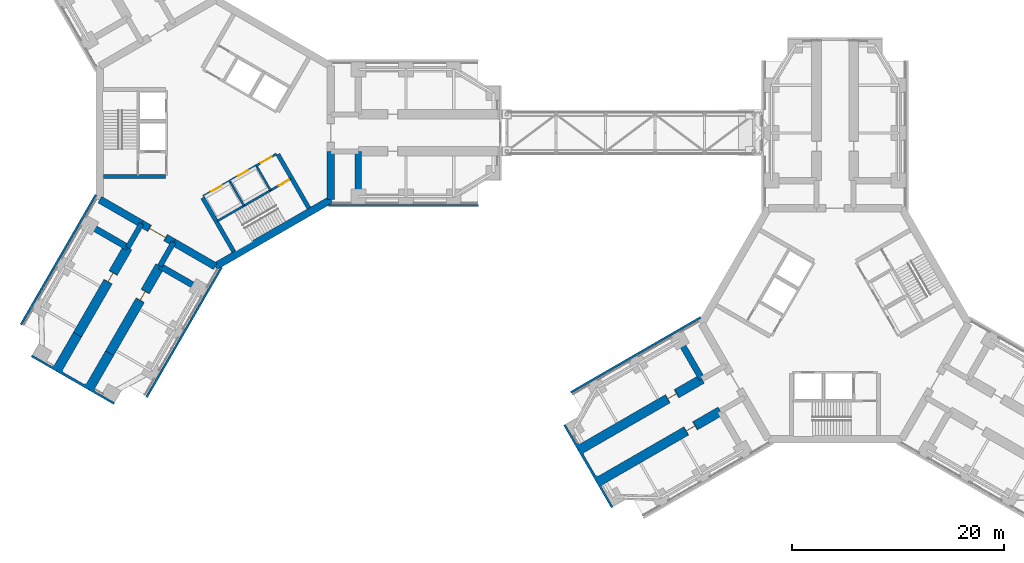
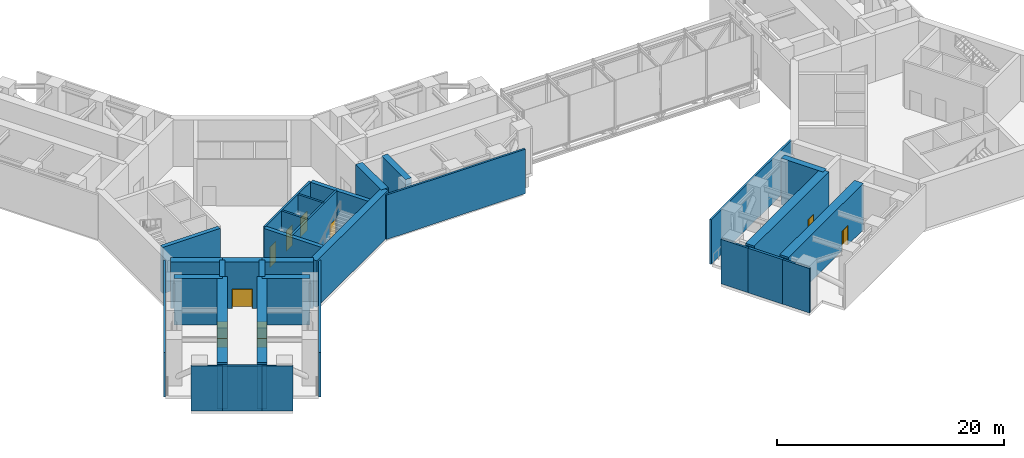
# One storey, part 8 of 17: 38 walls, 9 doors, 9 openings.
"""IFC4 building model written with IfcOpenShell, lengths in metres."""

import ifcopenshell
import ifcopenshell.guid

model = None  # the IFC model being written
_history = None  # IfcOwnerHistory: only IFC2X3 demands one
_inside = {}  # id of a spatial element -> (the spatial element, [elements in it])
_under = {}  # id of a project, library or spatial element -> (it, [spatial elements below it])
_declared = {}  # id of a project -> (the project, [libraries it declares])
_typed = {}  # id of a type object -> (the type object, [elements of that type])
_made_of = {}  # id of a material, layer set ... -> (it, [elements and type objects made of it])


def new_model(schema):
    """Start an empty IFC model of exactly this schema.

    Asked for "IFC4X3", IfcOpenShell would pick the latest addendum, in which some entities
    have other attributes; the version numbers below select the first issue.
    IFC2X3 requires an IfcOwnerHistory on every rooted entity: one is made here for all.
    """
    global model, _history
    if schema == "IFC4X3":
        model = ifcopenshell.file(schema_version=(4, 3, 0, 0))
    else:
        model = ifcopenshell.file(schema=schema)
    _inside.clear()
    _under.clear()
    _declared.clear()
    _typed.clear()
    _made_of.clear()
    _history = None
    if model.schema == "IFC2X3":
        org = make("IfcOrganization", Name="unknown")
        user = make(
            "IfcPersonAndOrganization",
            ThePerson=make("IfcPerson", FamilyName="unknown"),
            TheOrganization=org,
        )
        app = make(
            "IfcApplication",
            ApplicationDeveloper=org,
            Version="unknown",
            ApplicationFullName="unknown",
            ApplicationIdentifier="unknown",
        )
        _history = make(
            "IfcOwnerHistory",
            OwningUser=user,
            OwningApplication=app,
            ChangeAction="ADDED",
            CreationDate=0,
        )
    return model


def make(cls, **values):
    """One entity of the class cls with the attributes given. An attribute that is None is left unset."""
    return model.create_entity(
        cls, **{name: value for name, value in values.items() if value is not None}
    )


def rooted(cls, **values):
    """An entity with a GlobalId (a new one), such as an element, a storey or a relation."""
    return make(cls, GlobalId=ifcopenshell.guid.new(), OwnerHistory=_history, **values)


def si_unit(unit_type, name, prefix=None):
    """IfcSIUnit, for example si_unit("LENGTHUNIT", "METRE", prefix="MILLI")."""
    return make("IfcSIUnit", UnitType=unit_type, Prefix=prefix, Name=name)


def assignment(units):
    """IfcUnitAssignment: the units of a project."""
    return None if units is None else make("IfcUnitAssignment", Units=units)


def point(xyz):
    """IfcCartesianPoint."""
    return None if xyz is None else make("IfcCartesianPoint", Coordinates=xyz)


def direction(xyz):
    """IfcDirection."""
    return None if xyz is None else make("IfcDirection", DirectionRatios=xyz)


def frame(location, z_axis=None, x_axis=None):
    """IfcAxis2Placement3D, a coordinate frame: its origin and axes. An axis left out is left unset."""
    return make(
        "IfcAxis2Placement3D",
        Location=point(location),
        Axis=direction(z_axis),
        RefDirection=direction(x_axis),
    )


def frame_2d(location, x_axis=None):
    """IfcAxis2Placement2D, a coordinate frame in the plane: its origin and x axis."""
    return make(
        "IfcAxis2Placement2D", Location=point(location), RefDirection=direction(x_axis)
    )


def origin():
    """The frame at (0, 0, 0) with its axes left unset."""
    return frame((0.0, 0.0, 0.0))


def place(relative_to, where):
    """IfcLocalPlacement: puts the frame where relative to a parent placement (None: the world)."""
    return make(
        "IfcLocalPlacement", PlacementRelTo=relative_to, RelativePlacement=where
    )


def context(
    kind, dimensions, precision=None, world=None, true_north=None, identifier=None
):
    """IfcGeometricRepresentationContext, for example the 3D "Model" context."""
    return make(
        "IfcGeometricRepresentationContext",
        ContextIdentifier=identifier,
        ContextType=kind,
        CoordinateSpaceDimension=dimensions,
        Precision=precision,
        WorldCoordinateSystem=world,
        TrueNorth=true_north,
    )


def subcontext(parent, identifier, kind, view, scale=None):
    """IfcGeometricRepresentationSubContext, for example "Body" below "Model"."""
    return make(
        "IfcGeometricRepresentationSubContext",
        ContextIdentifier=identifier,
        ContextType=kind,
        ParentContext=parent,
        TargetScale=scale,
        TargetView=view,
    )


def project(units=None, contexts=None):
    """IfcProject with its units and contexts."""
    return rooted(
        "IfcProject",
        Name="project",
        RepresentationContexts=contexts,
        UnitsInContext=assignment(units),
    )


def spatial(cls, under=None, at=None, **own):
    """A site, building, storey or space (cls), placed at a placement, below another one or the project."""
    s = rooted(cls, ObjectPlacement=at, **own)
    if under is not None:
        _under.setdefault(under.id(), (under, []))[1].append(s)
    return s


def profile(cls, at=None, kind="AREA", **sizes):
    """A parametric profile (cls). Its sizes go by their IFC names, for example OverallWidth=200.0."""
    return make(cls, ProfileType=kind, Position=at, **sizes)


def rectangle(**sizes):
    """IfcRectangleProfileDef."""
    return profile("IfcRectangleProfileDef", **sizes)


def extrude(swept, where, along, depth):
    """IfcExtrudedAreaSolid: the profile swept, set in the frame where, extruded along a direction by depth."""
    return make(
        "IfcExtrudedAreaSolid",
        SweptArea=swept,
        Position=where,
        ExtrudedDirection=direction(along),
        Depth=depth,
    )


def shape(context_of_items, identifier, shape_type, items):
    """IfcShapeRepresentation: the items that make up one representation, for example the "Body"."""
    return make(
        "IfcShapeRepresentation",
        ContextOfItems=context_of_items,
        RepresentationIdentifier=identifier,
        RepresentationType=shape_type,
        Items=items,
    )


def material(Name=None, Category=None):
    """IfcMaterial."""
    return make("IfcMaterial", Name=Name, Category=Category)


def layer(
    of_material, thickness, ventilated=None, Name=None, Category=None, Priority=None
):
    """IfcMaterialLayer: one layer of a wall or slab, of a material (None: an air gap)."""
    return make(
        "IfcMaterialLayer",
        Material=of_material,
        LayerThickness=thickness,
        IsVentilated=ventilated,
        Name=Name,
        Category=Category,
        Priority=Priority,
    )


def layer_set(layers, Name=None):
    """IfcMaterialLayerSet."""
    return make("IfcMaterialLayerSet", MaterialLayers=layers, LayerSetName=Name)


def made_of(thing, what):
    """Note that an element or type object is made of a material, layer set ...; save() writes the relation."""
    if what is not None:
        _made_of.setdefault(what.id(), (what, []))[1].append(thing)
    return thing


def type_object(cls, material=None, **own):
    """A type object (cls), such as IfcWallType, which elements share."""
    return made_of(rooted(cls, **own), material)


def element(
    cls,
    number,
    at=None,
    inside=None,
    cuts=None,
    type_object=None,
    material=None,
    context=None,
    identifier="Body",
    shape_type=None,
    held_by="IfcProductDefinitionShape",
    body=None,
    shapes=None,
    **own,
):
    """One element of the class cls, such as IfcWall. Its Tag is "e" and its number.

    at: its placement. inside: the storey or other place that contains it. cuts: it is an
    opening in that element (IfcRelVoidsElement). A single representation is given by context,
    identifier, shape_type and body (its items); several are given by shapes. held_by: the class
    of the entity that holds the representations. save() writes the other relations.
    """
    e = rooted(cls, Tag="e%d" % number, ObjectPlacement=at, **own)
    if body is not None:
        shapes = [shape(context, identifier, shape_type, body)]
    if shapes is not None:
        e.Representation = make(held_by, Representations=shapes)
    if inside is not None:
        _inside.setdefault(inside.id(), (inside, []))[1].append(e)
    if cuts is not None:
        rooted(
            "IfcRelVoidsElement", RelatingBuildingElement=cuts, RelatedOpeningElement=e
        )
    if type_object is not None:
        _typed.setdefault(type_object.id(), (type_object, []))[1].append(e)
    return made_of(e, material)


def fill(opening, filler):
    """IfcRelFillsElement: the door or window that sits in an opening."""
    return rooted(
        "IfcRelFillsElement",
        RelatingOpeningElement=opening,
        RelatedBuildingElement=filler,
    )


def aggregate(whole, parts):
    """IfcRelAggregates: a whole, such as a stair, and the parts it consists of."""
    return rooted("IfcRelAggregates", RelatingObject=whole, RelatedObjects=parts)


def save(model, path):
    """Write the relations noted so far, then the file.

    IfcRelAggregates (storeys below a building ...), IfcRelContainedInSpatialStructure (elements
    in a storey), IfcRelDefinesByType, IfcRelAssociatesMaterial and IfcRelDeclares: one each for
    every whole, place, type object, material and project.
    """
    for whole, parts in _under.values():
        aggregate(whole, parts)
    for where, things in _inside.values():
        rooted(
            "IfcRelContainedInSpatialStructure",
            RelatedElements=things,
            RelatingStructure=where,
        )
    for kind, things in _typed.values():
        rooted("IfcRelDefinesByType", RelatedObjects=things, RelatingType=kind)
    for what, things in _made_of.values():
        rooted("IfcRelAssociatesMaterial", RelatedObjects=things, RelatingMaterial=what)
    for by, libraries in _declared.values():
        rooted("IfcRelDeclares", RelatingContext=by, RelatedDefinitions=libraries)
    model.write(path)


model = new_model("IFC4")

# Units and contexts
model_context = context("Model", 3, precision=1e-05, world=origin(), true_north=direction((0.0, 1.0)))
body_context = subcontext(model_context, "Body", "Model", "MODEL_VIEW")
ifc_project = project(units=[si_unit("LENGTHUNIT", "METRE"), si_unit("AREAUNIT", "SQUARE_METRE"), si_unit("VOLUMEUNIT", "CUBIC_METRE"), si_unit("PLANEANGLEUNIT", "RADIAN"), si_unit("MASSUNIT", "GRAM", prefix="KILO")], contexts=[model_context])

# Site, building, storey
site_placement = place(None, origin())
site = spatial("IfcSite", under=ifc_project, at=site_placement, CompositionType="ELEMENT")
building_placement = place(site_placement, origin())
building = spatial("IfcBuilding", under=site, at=building_placement, Name="Upepo Twin Towers", CompositionType="ELEMENT")
storey_placement = place(building_placement, frame((0.0, 0.0, 92.5)))
storey = spatial("IfcBuildingStorey", under=building, at=storey_placement, Name="L22", CompositionType="ELEMENT", Elevation=92.5)

# Walls
ifc_material_1 = material(Name="Precast concrete breeze blocks", Category="concrete")
ifc_layer_1 = layer(ifc_material_1, 0.199951171875)
ifc_layer_set_1 = layer_set([ifc_layer_1], Name="Breeze-block screen wall 200")
wall_type_1 = type_object("IfcWallType", Name="Breeze-block screen wall 200", PredefinedType="USERDEFINED", material=ifc_layer_set_1)
wall_1_placement = place(storey_placement, frame((24.85009765625, -6.85009765625, 0.0), z_axis=(0.0, 0.0, 1.0), x_axis=(-1.0, 0.0, 0.0)))
element("IfcWall", 1, at=wall_1_placement, inside=storey, type_object=wall_type_1, Name="T1 L22 wing A screen R", ObjectType="SCREEN", PredefinedType="USERDEFINED", context=body_context, shape_type="SweptSolid", body=[
    extrude(rectangle(XDim=14.1630859375, YDim=0.199951171875, at=frame_2d((7.08154296875, 0.0))), origin(), (0.0, 0.0, 1.0), 4.800048828125),
])
for number, where, z_axis, x_axis, name in (
    (2, (0.588623046875, -12.680419921875, 0.0), (0.0, 0.0, 1.0), (-0.49999353342, -0.866029137234, 0.0), "T1 L22 wing C screen L"),
    (3, (-18.357177734375, -18.095703125, 0.0), (0.0, 0.0, 1.0), (0.49999353342, 0.866029137234, 0.0), "T1 L22 wing C screen R"),
):
    element("IfcWall", number, at=place(storey_placement, frame(where, z_axis=z_axis, x_axis=x_axis)), inside=storey, type_object=wall_type_1, Name=name, ObjectType="SCREEN", PredefinedType="USERDEFINED", context=body_context, shape_type="SweptSolid", body=[
        extrude(rectangle(XDim=14.162841796875, YDim=0.199951171875, at=frame_2d((7.08154296875, 0.0))), origin(), (0.0, 0.0, 1.0), 4.800048828125),
    ])
for number, where, z_axis, x_axis, name in (
    (4, (-17.34716796875, -21.046142578125, 0.0), (0.0, 0.0, 1.0), (0.866027397988, -0.499996545922, 0.0), "T1 L22 wing C nose screen 0"),
    (5, (-11.9345703125, -24.171142578125, 0.0), (0.0, 0.0, 1.0), (0.866027397988, -0.499996545922, 0.0), "T1 L22 wing C nose screen 2"),
):
    element("IfcWall", number, at=place(storey_placement, frame(where, z_axis=z_axis, x_axis=x_axis)), inside=storey, type_object=wall_type_1, Name=name, ObjectType="SCREEN", PredefinedType="USERDEFINED", context=body_context, shape_type="SweptSolid", body=[
        extrude(rectangle(XDim=2.75, YDim=0.199951171875, at=frame_2d((1.375, 0.0))), origin(), (0.0, 0.0, 1.0), 4.800048828125),
    ])
wall_2_placement = place(storey_placement, frame((33.55419921875, -24.49267578125, 0.0), z_axis=(0.0, 0.0, 1.0), x_axis=(0.866029137234, 0.49999353342, 0.0)))
element("IfcWall", 6, at=wall_2_placement, inside=storey, type_object=wall_type_1, Name="T2 L22 wing B screen R", ObjectType="SCREEN", PredefinedType="USERDEFINED", context=body_context, shape_type="SweptSolid", body=[
    extrude(rectangle(XDim=14.162841796875, YDim=0.199951171875, at=frame_2d((7.08154296875, 0.0))), origin(), (0.0, 0.0, 1.0), 4.800048828125),
])
for number, where, z_axis, x_axis, name in (
    (7, (32.953857421875, -27.552978515625, 0.0), (0.0, 0.0, 1.0), (0.499996545922, -0.866027397988, 0.0), "T2 L22 wing B nose screen 0"),
    (8, (36.078857421875, -32.965576171875, 0.0), (0.0, 0.0, 1.0), (0.499996545922, -0.866027397988, 0.0), "T2 L22 wing B nose screen 2"),
):
    element("IfcWall", number, at=place(storey_placement, frame(where, z_axis=z_axis, x_axis=x_axis)), inside=storey, type_object=wall_type_1, Name=name, ObjectType="SCREEN", PredefinedType="USERDEFINED", context=body_context, shape_type="SweptSolid", body=[
        extrude(rectangle(XDim=2.75, YDim=0.199951171875, at=frame_2d((1.375, 0.0))), origin(), (0.0, 0.0, 1.0), 4.800048828125),
    ])
ifc_material_2 = material(Name="Dense concrete blockwork", Category="masonry")
ifc_layer_2 = layer(ifc_material_2, 0.89990234375)
ifc_layer_set_2 = layer_set([ifc_layer_2], Name="Buttress closer 900, blockwork with fire-stopping to the curtain wall")
wall_type_2 = type_object("IfcWallType", Name="Buttress closer 900, blockwork with fire-stopping to the curtain wall", PredefinedType="PARTITIONING", material=ifc_layer_set_2)
wall_3_placement = place(storey_placement, frame((-11.83447265625, -23.997802734375, 0.0), z_axis=(0.0, 0.0, 1.0), x_axis=(-0.497188445666, -0.867642581652, 0.0)))
element("IfcWall", 9, at=wall_3_placement, inside=storey, type_object=wall_type_2, Name="T1 L22 wing C buttress closer L", PredefinedType="PARTITIONING", context=body_context, shape_type="SweptSolid", body=[
    extrude(rectangle(XDim=0.050048828125, YDim=0.89990234375, at=frame_2d((0.02490234375, 0.0))), origin(), (0.0, 0.0, 1.0), 4.800048828125),
])
for number, where, z_axis, x_axis, name in (
    (10, (-14.865478515625, -22.247802734375, 0.0), (0.0, 0.0, 1.0), (-0.500844580232, -0.86553723574, 0.0), "T1 L22 wing C buttress closer R"),
    (11, (36.252197265625, -32.865478515625, 0.0), (0.0, 0.0, 1.0), (-0.86553723574, -0.500844580232, 0.0), "T2 L22 wing B buttress closer L"),
):
    element("IfcWall", number, at=place(storey_placement, frame(where, z_axis=z_axis, x_axis=x_axis)), inside=storey, type_object=wall_type_2, Name=name, PredefinedType="PARTITIONING", context=body_context, shape_type="SweptSolid", body=[
        extrude(rectangle(XDim=0.05029296875, YDim=0.89990234375, at=frame_2d((0.025146484375, 0.0))), origin(), (0.0, 0.0, 1.0), 4.800048828125),
    ])
wall_4_placement = place(storey_placement, frame((34.502197265625, -29.83447265625, 0.0), z_axis=(0.0, 0.0, 1.0), x_axis=(-0.867642581652, -0.497188445666, 0.0)))
element("IfcWall", 12, at=wall_4_placement, inside=storey, type_object=wall_type_2, Name="T2 L22 wing B buttress closer R", PredefinedType="PARTITIONING", context=body_context, shape_type="SweptSolid", body=[
    extrude(rectangle(XDim=0.050048828125, YDim=0.89990234375, at=frame_2d((0.02490234375, 0.0))), origin(), (0.0, 0.0, 1.0), 4.800048828125),
])
ifc_material_3 = material(Name="Concrete C60/75", Category="concrete")
ifc_layer_3 = layer(ifc_material_3, 0.5)
ifc_layer_set_3 = layer_set([ifc_layer_3], Name="Concrete C60/75")
wall_type_3 = type_object("IfcWallType", Name="Buttress wall 500 RC", PredefinedType="SHEAR", material=ifc_layer_set_3)
for number, where, z_axis, x_axis, name in (
    (13, (-3.938720703125, -10.32177734375, 0.0), (0.0, 0.0, 1.0), (-0.499918158782, -0.866072649678, 0.0), "T1 wing C buttress wall L"),
    (14, (-6.9697265625, -8.57177734375, 0.0), (0.0, 0.0, 1.0), (-0.499988811324, -0.866031863473, 0.0), "T1 wing C buttress wall R"),
):
    element("IfcWall", number, at=place(storey_placement, frame(where, z_axis=z_axis, x_axis=x_axis)), inside=storey, type_object=wall_type_3, Name=name, PredefinedType="SHEAR", context=body_context, shape_type="SweptSolid", body=[
        extrude(rectangle(XDim=2.591796875, YDim=0.5, at=frame_2d((1.2958984375, 0.0))), origin(), (0.0, 0.0, 1.0), 5.0),
    ])

# Wall, opening, door
ifc_material_4 = material(Name="Concrete C60/75", Category="concrete")
ifc_layer_4 = layer(ifc_material_4, 0.89990234375)
ifc_layer_set_4 = layer_set([ifc_layer_4], Name="Concrete C60/75")
wall_type_4 = type_object("IfcWallType", Name="Buttress wall 900 RC", PredefinedType="SHEAR", material=ifc_layer_set_4)
wall_5_placement = place(storey_placement, frame((-5.234375, -12.56640625, 0.0), z_axis=(0.0, 0.0, 1.0), x_axis=(-0.499997557548, -0.86602681393, 0.0)))
wall_5 = element("IfcWall", 15, at=wall_5_placement, inside=storey, type_object=wall_type_4, Name="T1 wing C buttress wall L part 2", PredefinedType="SHEAR", context=body_context, shape_type="SweptSolid", body=[
    extrude(rectangle(XDim=9.5, YDim=0.89990234375, at=frame_2d((4.75, 0.0))), origin(), (0.0, 0.0, 1.0), 5.0),
])
opening_1_placement = place(wall_5_placement, frame((2.75, 0.0, 0.0)))
opening_1 = element("IfcOpeningElement", 16, at=opening_1_placement, cuts=wall_5, Name="Opening D1", PredefinedType="OPENING", context=body_context, shape_type="SweptSolid", body=[
    extrude(rectangle(XDim=1.0, YDim=2.10009765625, at=frame_2d((0.5, 1.050048828125))), frame((0.0, 0.4599609375, 0.0), z_axis=(0.0, -1.0, 0.0), x_axis=(1.0, 0.0, 0.0)), (0.0, 0.0, 1.0), 0.919921875),
])
ifc_material_5 = material(Name="Timber doorset", Category="wood")
door_type_1 = type_object("IfcDoorType", Name="Room door 1000 FD30", OperationType="SINGLE_SWING_LEFT", PredefinedType="DOOR", material=ifc_material_5)
door_1_placement = place(opening_1_placement, origin())
door_1 = element("IfcDoor", 17, at=door_1_placement, inside=storey, type_object=door_type_1, Name="T1 L22 refuge area door", OperationType="SINGLE_SWING_LEFT", OverallHeight=2.10009765625, OverallWidth=1.0, PredefinedType="DOOR", context=body_context, shape_type="SweptSolid", body=[
    extrude(rectangle(XDim=0.92, YDim=2.06009765625, at=frame_2d((0.5, 1.030029296875))), frame((0.0, 0.02490234375, 0.0), z_axis=(0.0, -1.0, 0.0), x_axis=(1.0, 0.0, 0.0)), (0.0, 0.0, 1.0), 0.050048828125),
    extrude(rectangle(XDim=0.04, YDim=2.10009765625, at=frame_2d((0.02001953125, 1.050048828125))), frame((0.0, 0.44970703125, 0.0), z_axis=(0.0, -1.0, 0.0), x_axis=(1.0, 0.0, 0.0)), (0.0, 0.0, 1.0), 0.8994140625),
    extrude(rectangle(XDim=0.04, YDim=2.10009765625, at=frame_2d((0.97998046875, 1.050048828125))), frame((0.0, 0.44970703125, 0.0), z_axis=(0.0, -1.0, 0.0), x_axis=(1.0, 0.0, 0.0)), (0.0, 0.0, 1.0), 0.8994140625),
    extrude(rectangle(XDim=0.92, YDim=0.04, at=frame_2d((0.5, 2.080078125))), frame((0.0, 0.44970703125, 0.0), z_axis=(0.0, -1.0, 0.0), x_axis=(1.0, 0.0, 0.0)), (0.0, 0.0, 1.0), 0.8994140625),
])
fill(opening_1, door_1)

# Wall
wall_6_placement = place(storey_placement, frame((-9.984375, -20.793701171875, 0.0), z_axis=(0.0, 0.0, 1.0), x_axis=(-0.500042316284, -0.866000971088, 0.0)))
element("IfcWall", 18, at=wall_6_placement, inside=storey, type_object=wall_type_4, Name="T1 wing C buttress wall L part 3", PredefinedType="SHEAR", context=body_context, shape_type="SweptSolid", body=[
    extrude(rectangle(XDim=3.699951171875, YDim=0.89990234375, at=frame_2d((1.85009765625, 0.0))), origin(), (0.0, 0.0, 1.0), 5.0),
])

# Wall, opening, door
wall_7_placement = place(storey_placement, frame((-8.265625, -10.81640625, 0.0), z_axis=(0.0, 0.0, 1.0), x_axis=(-0.499997557548, -0.86602681393, 0.0)))
wall_7 = element("IfcWall", 19, at=wall_7_placement, inside=storey, type_object=wall_type_4, Name="T1 wing C buttress wall R part 2", PredefinedType="SHEAR", context=body_context, shape_type="SweptSolid", body=[
    extrude(rectangle(XDim=9.5, YDim=0.89990234375, at=frame_2d((4.75, 0.0))), origin(), (0.0, 0.0, 1.0), 5.0),
])
opening_2_placement = place(wall_7_placement, frame((2.75, 0.0, 0.0)))
opening_2 = element("IfcOpeningElement", 20, at=opening_2_placement, cuts=wall_7, Name="Opening D1", PredefinedType="OPENING", context=body_context, shape_type="SweptSolid", body=[
    extrude(rectangle(XDim=1.0, YDim=2.10009765625, at=frame_2d((0.5, 1.050048828125))), frame((0.0, 0.4599609375, 0.0), z_axis=(0.0, -1.0, 0.0), x_axis=(1.0, 0.0, 0.0)), (0.0, 0.0, 1.0), 0.919921875),
])
door_2_placement = place(opening_2_placement, origin())
door_2 = element("IfcDoor", 21, at=door_2_placement, inside=storey, type_object=door_type_1, Name="T1 L22 electrical switch room door", OperationType="SINGLE_SWING_LEFT", OverallHeight=2.10009765625, OverallWidth=1.0, PredefinedType="DOOR", context=body_context, shape_type="SweptSolid", body=[
    extrude(rectangle(XDim=0.92, YDim=2.06009765625, at=frame_2d((0.5, 1.030029296875))), frame((0.0, 0.02490234375, 0.0), z_axis=(0.0, -1.0, 0.0), x_axis=(1.0, 0.0, 0.0)), (0.0, 0.0, 1.0), 0.050048828125),
    extrude(rectangle(XDim=0.04, YDim=2.10009765625, at=frame_2d((0.02001953125, 1.050048828125))), frame((0.0, 0.44970703125, 0.0), z_axis=(0.0, -1.0, 0.0), x_axis=(1.0, 0.0, 0.0)), (0.0, 0.0, 1.0), 0.8994140625),
    extrude(rectangle(XDim=0.04, YDim=2.10009765625, at=frame_2d((0.97998046875, 1.050048828125))), frame((0.0, 0.44970703125, 0.0), z_axis=(0.0, -1.0, 0.0), x_axis=(1.0, 0.0, 0.0)), (0.0, 0.0, 1.0), 0.8994140625),
    extrude(rectangle(XDim=0.92, YDim=0.04, at=frame_2d((0.5, 2.080078125))), frame((0.0, 0.44970703125, 0.0), z_axis=(0.0, -1.0, 0.0), x_axis=(1.0, 0.0, 0.0)), (0.0, 0.0, 1.0), 0.8994140625),
])
fill(opening_2, door_2)

# Wall
wall_8_placement = place(storey_placement, frame((-13.015625, -19.043701171875, 0.0), z_axis=(0.0, 0.0, 1.0), x_axis=(-0.499992827086, -0.866029545028, 0.0)))
element("IfcWall", 22, at=wall_8_placement, inside=storey, type_object=wall_type_4, Name="T1 wing C buttress wall R part 3", PredefinedType="SHEAR", context=body_context, shape_type="SweptSolid", body=[
    extrude(rectangle(XDim=3.69970703125, YDim=0.89990234375, at=frame_2d((1.849853515625, 0.0))), origin(), (0.0, 0.0, 1.0), 5.0),
])

# Wall, opening, door
wall_9_placement = place(storey_placement, frame((47.68359375, -26.265625, 0.0), z_axis=(0.0, 0.0, 1.0), x_axis=(-0.866027579429, -0.499996231654, 0.0)))
wall_9 = element("IfcWall", 23, at=wall_9_placement, inside=storey, type_object=wall_type_4, Name="T2 wing B buttress wall L part 2", PredefinedType="SHEAR", context=body_context, shape_type="SweptSolid", body=[
    extrude(rectangle(XDim=13.19970703125, YDim=0.89990234375, at=frame_2d((6.599853515625, 0.0))), origin(), (0.0, 0.0, 1.0), 5.0),
])
opening_3_placement = place(wall_9_placement, frame((2.75, 0.0, 0.0)))
opening_3 = element("IfcOpeningElement", 24, at=opening_3_placement, cuts=wall_9, Name="Opening D1", PredefinedType="OPENING", context=body_context, shape_type="SweptSolid", body=[
    extrude(rectangle(XDim=1.0, YDim=2.10009765625, at=frame_2d((0.5, 1.050048828125))), frame((0.0, 0.4599609375, 0.0), z_axis=(0.0, -1.0, 0.0), x_axis=(1.0, 0.0, 0.0)), (0.0, 0.0, 1.0), 0.919921875),
])
door_3_placement = place(opening_3_placement, origin())
door_3 = element("IfcDoor", 25, at=door_3_placement, inside=storey, type_object=door_type_1, Name="T2 L22 refuge area door", OperationType="SINGLE_SWING_LEFT", OverallHeight=2.10009765625, OverallWidth=1.0, PredefinedType="DOOR", context=body_context, shape_type="SweptSolid", body=[
    extrude(rectangle(XDim=0.92, YDim=2.06009765625, at=frame_2d((0.5, 1.030029296875))), frame((0.0, 0.02490234375, 0.0), z_axis=(0.0, -1.0, 0.0), x_axis=(1.0, 0.0, 0.0)), (0.0, 0.0, 1.0), 0.050048828125),
    extrude(rectangle(XDim=0.04, YDim=2.10009765625, at=frame_2d((0.02001953125, 1.050048828125))), frame((0.0, 0.44970703125, 0.0), z_axis=(0.0, -1.0, 0.0), x_axis=(1.0, 0.0, 0.0)), (0.0, 0.0, 1.0), 0.8994140625),
    extrude(rectangle(XDim=0.04, YDim=2.10009765625, at=frame_2d((0.97998046875, 1.050048828125))), frame((0.0, 0.44970703125, 0.0), z_axis=(0.0, -1.0, 0.0), x_axis=(1.0, 0.0, 0.0)), (0.0, 0.0, 1.0), 0.8994140625),
    extrude(rectangle(XDim=0.92, YDim=0.04, at=frame_2d((0.5, 2.080078125))), frame((0.0, 0.44970703125, 0.0), z_axis=(0.0, -1.0, 0.0), x_axis=(1.0, 0.0, 0.0)), (0.0, 0.0, 1.0), 0.8994140625),
])
fill(opening_3, door_3)

wall_10_placement = place(storey_placement, frame((45.93359375, -23.234375, 0.0), z_axis=(0.0, 0.0, 1.0), x_axis=(-0.866019570528, -0.500010103361, 0.0)))
wall_10 = element("IfcWall", 26, at=wall_10_placement, inside=storey, type_object=wall_type_4, Name="T2 wing B buttress wall R part 2", PredefinedType="SHEAR", context=body_context, shape_type="SweptSolid", body=[
    extrude(rectangle(XDim=13.199951171875, YDim=0.89990234375, at=frame_2d((6.60009765625, 0.0))), origin(), (0.0, 0.0, 1.0), 5.0),
])
opening_4_placement = place(wall_10_placement, frame((2.75, 0.0, 0.0)))
opening_4 = element("IfcOpeningElement", 27, at=opening_4_placement, cuts=wall_10, Name="Opening D1", PredefinedType="OPENING", context=body_context, shape_type="SweptSolid", body=[
    extrude(rectangle(XDim=1.0, YDim=2.10009765625, at=frame_2d((0.5, 1.050048828125))), frame((0.0, 0.4599609375, 0.0), z_axis=(0.0, -1.0, 0.0), x_axis=(1.0, 0.0, 0.0)), (0.0, 0.0, 1.0), 0.919921875),
])
door_4_placement = place(opening_4_placement, origin())
door_4 = element("IfcDoor", 28, at=door_4_placement, inside=storey, type_object=door_type_1, Name="T2 L22 booster pump plant room door", OperationType="SINGLE_SWING_LEFT", OverallHeight=2.10009765625, OverallWidth=1.0, PredefinedType="DOOR", context=body_context, shape_type="SweptSolid", body=[
    extrude(rectangle(XDim=0.92, YDim=2.06009765625, at=frame_2d((0.5, 1.030029296875))), frame((0.0, 0.02490234375, 0.0), z_axis=(0.0, -1.0, 0.0), x_axis=(1.0, 0.0, 0.0)), (0.0, 0.0, 1.0), 0.050048828125),
    extrude(rectangle(XDim=0.04, YDim=2.10009765625, at=frame_2d((0.02001953125, 1.050048828125))), frame((0.0, 0.44970703125, 0.0), z_axis=(0.0, -1.0, 0.0), x_axis=(1.0, 0.0, 0.0)), (0.0, 0.0, 1.0), 0.8994140625),
    extrude(rectangle(XDim=0.04, YDim=2.10009765625, at=frame_2d((0.97998046875, 1.050048828125))), frame((0.0, 0.44970703125, 0.0), z_axis=(0.0, -1.0, 0.0), x_axis=(1.0, 0.0, 0.0)), (0.0, 0.0, 1.0), 0.8994140625),
    extrude(rectangle(XDim=0.92, YDim=0.04, at=frame_2d((0.5, 2.080078125))), frame((0.0, 0.44970703125, 0.0), z_axis=(0.0, -1.0, 0.0), x_axis=(1.0, 0.0, 0.0)), (0.0, 0.0, 1.0), 0.8994140625),
])
fill(opening_4, door_4)

# Walls
ifc_material_6 = material(Name="Concrete C60/75", Category="concrete")
ifc_layer_5 = layer(ifc_material_6, 0.699951171875)
ifc_layer_set_5 = layer_set([ifc_layer_5], Name="Concrete C60/75")
wall_type_5 = type_object("IfcWallType", Name="Core wall 700 RC", PredefinedType="SHEAR", material=ifc_layer_set_5)
wall_11_placement = place(storey_placement, frame((10.908447265625, -6.2978515625, 0.0), z_axis=(0.0, 0.0, 1.0), x_axis=(0.0, 1.0, 0.0)))
element("IfcWall", 29, at=wall_11_placement, inside=storey, type_object=wall_type_5, Name="T1 core wall 000 R", PredefinedType="SHEAR", context=body_context, shape_type="SweptSolid", body=[
    extrude(rectangle(XDim=4.5478515625, YDim=0.699951171875, at=frame_2d((2.27392578125, 0.0))), origin(), (0.0, 0.0, 1.0), 5.0),
])
wall_12_placement = place(storey_placement, frame((-10.908447265625, -6.2978515625, 0.0), z_axis=(0.0, 0.0, 1.0), x_axis=(0.866034513004, -0.499984222037, 0.0)))
element("IfcWall", 30, at=wall_12_placement, inside=storey, type_object=wall_type_5, Name="T1 core wall 240 R", PredefinedType="SHEAR", context=body_context, shape_type="SweptSolid", body=[
    extrude(rectangle(XDim=4.548095703125, YDim=0.699951171875, at=frame_2d((2.27392578125, 0.0))), origin(), (0.0, 0.0, 1.0), 5.0),
])

# Wall, opening, door
wall_13_placement = place(storey_placement, frame((-6.9697265625, -8.57177734375, 0.0), z_axis=(0.0, 0.0, 1.0), x_axis=(0.866019471182, -0.500010275428, 0.0)))
wall_13 = element("IfcWall", 31, at=wall_13_placement, inside=storey, type_object=wall_type_5, Name="T1 core wall 240", PredefinedType="SHEAR", context=body_context, shape_type="SweptSolid", body=[
    extrude(rectangle(XDim=3.5, YDim=0.699951171875, at=frame_2d((1.75, 0.0))), origin(), (0.0, 0.0, 1.0), 5.0),
])
opening_5_placement = place(wall_13_placement, frame((0.85009765625, 0.0, 0.0)))
opening_5 = element("IfcOpeningElement", 32, at=opening_5_placement, cuts=wall_13, Name="Opening D2", PredefinedType="OPENING", context=body_context, shape_type="SweptSolid", body=[
    extrude(rectangle(XDim=1.800048828125, YDim=2.10009765625, at=frame_2d((0.89990234375, 1.050048828125))), frame((0.0, 0.35986328125, 0.0), z_axis=(0.0, -1.0, 0.0), x_axis=(1.0, 0.0, 0.0)), (0.0, 0.0, 1.0), 0.719970703125),
])
ifc_material_7 = material(Name="Timber doorset", Category="wood")
door_type_2 = type_object("IfcDoorType", Name="Corridor double door 1800 FD60", OperationType="DOUBLE_DOOR_DOUBLE_SWING", PredefinedType="DOOR", material=ifc_material_7)
door_5_placement = place(opening_5_placement, origin())
door_5 = element("IfcDoor", 33, at=door_5_placement, inside=storey, type_object=door_type_2, Name="T1 L22 wing C corridor door", OperationType="DOUBLE_DOOR_DOUBLE_SWING", OverallHeight=2.10009765625, OverallWidth=1.800048828125, PredefinedType="DOOR", context=body_context, shape_type="SweptSolid", body=[
    extrude(rectangle(XDim=1.720048828125, YDim=2.06009765625, at=frame_2d((0.89990234375, 1.030029296875))), frame((0.0, 0.02490234375, 0.0), z_axis=(0.0, -1.0, 0.0), x_axis=(1.0, 0.0, 0.0)), (0.0, 0.0, 1.0), 0.050048828125),
    extrude(rectangle(XDim=0.04, YDim=2.10009765625, at=frame_2d((0.02001953125, 1.050048828125))), frame((0.0, 0.349609375, 0.0), z_axis=(0.0, -1.0, 0.0), x_axis=(1.0, 0.0, 0.0)), (0.0, 0.0, 1.0), 0.699462890625),
    extrude(rectangle(XDim=0.04, YDim=2.10009765625, at=frame_2d((1.780029296875, 1.050048828125))), frame((0.0, 0.349609375, 0.0), z_axis=(0.0, -1.0, 0.0), x_axis=(1.0, 0.0, 0.0)), (0.0, 0.0, 1.0), 0.699462890625),
    extrude(rectangle(XDim=1.720048828125, YDim=0.04, at=frame_2d((0.89990234375, 2.080078125))), frame((0.0, 0.349609375, 0.0), z_axis=(0.0, -1.0, 0.0), x_axis=(1.0, 0.0, 0.0)), (0.0, 0.0, 1.0), 0.699462890625),
])
fill(opening_5, door_5)

# Walls
wall_14_placement = place(storey_placement, frame((-3.938720703125, -10.32177734375, 0.0), z_axis=(0.0, 0.0, 1.0), x_axis=(0.866011268655, -0.500024481964, 0.0)))
element("IfcWall", 34, at=wall_14_placement, inside=storey, type_object=wall_type_5, Name="T1 core wall 240 L", PredefinedType="SHEAR", context=body_context, shape_type="SweptSolid", body=[
    extrude(rectangle(XDim=4.548095703125, YDim=0.699951171875, at=frame_2d((2.27392578125, 0.0))), origin(), (0.0, 0.0, 1.0), 5.0),
])
wall_15_placement = place(storey_placement, frame((0.0, -12.595947265625, 0.0), z_axis=(0.0, 0.0, 1.0), x_axis=(0.866021940709, 0.500005998175, 0.0)))
element("IfcWall", 35, at=wall_15_placement, inside=storey, type_object=wall_type_5, Name="T1 core wall 300", PredefinedType="SHEAR", context=body_context, shape_type="SweptSolid", body=[
    extrude(rectangle(XDim=12.595947265625, YDim=0.699951171875, at=frame_2d((6.2978515625, 0.0))), origin(), (0.0, 0.0, 1.0), 5.0),
])
ifc_material_8 = material(Name="Blockwork with anodised aluminium cladding", Category="masonry")
ifc_layer_6 = layer(ifc_material_8, 0.25)
ifc_layer_set_6 = layer_set([ifc_layer_6], Name="Notch cladding wall 250, pale metal")
wall_type_6 = type_object("IfcWallType", Name="Notch cladding wall 250, pale metal", PredefinedType="STANDARD", material=ifc_layer_set_6)
for number, where, z_axis, x_axis, name in (
    (36, (-14.953125, -22.3994140625, 0.0), (0.0, 0.0, 1.0), (0.866036909293, -0.499980071345, 0.0), "T1 L22 wing C nose wall"),
    (37, (34.3505859375, -29.921875, 0.0), (0.0, 0.0, 1.0), (0.499980071345, -0.866036909293, 0.0), "T2 L22 wing B nose wall"),
):
    element("IfcWall", number, at=place(storey_placement, frame(where, z_axis=z_axis, x_axis=x_axis)), inside=storey, type_object=wall_type_6, Name=name, PredefinedType="STANDARD", context=body_context, shape_type="SweptSolid", body=[
        extrude(rectangle(XDim=3.500244140625, YDim=0.25, at=frame_2d((1.75, 0.0))), origin(), (0.0, 0.0, 1.0), 4.800048828125),
    ])
ifc_material_9 = material(Name="Concrete C60/75", Category="concrete")
ifc_layer_7 = layer(ifc_material_9, 0.60009765625)
ifc_layer_set_7 = layer_set([ifc_layer_7], Name="Concrete C60/75")
wall_type_7 = type_object("IfcWallType", Name="Outrigger wall 600 RC", PredefinedType="SHEAR", material=ifc_layer_set_7)
wall_16_placement = place(storey_placement, frame((13.5, -1.75, 0.0), z_axis=(0.0, 0.0, 1.0), x_axis=(0.0, -1.0, 0.0)))
element("IfcWall", 38, at=wall_16_placement, inside=storey, type_object=wall_type_7, Name="T1 outrigger wall AR", PredefinedType="SHEAR", context=body_context, shape_type="SweptSolid", body=[
    extrude(rectangle(XDim=4.25, YDim=0.60009765625, at=frame_2d((2.125, 0.0))), origin(), (0.0, 0.0, 1.0), 5.0),
])
for number, where, z_axis, x_axis, name in (
    (39, (-5.234375, -12.56640625, 0.0), (0.0, 0.0, 1.0), (0.866014341725, -0.50001915956, 0.0), "T1 outrigger wall CL"),
    (40, (-8.265625, -10.81640625, 0.0), (0.0, 0.0, 1.0), (-0.866014341725, 0.50001915956, 0.0), "T1 outrigger wall CR"),
    (41, (45.93359375, -23.234375, 0.0), (0.0, 0.0, 1.0), (-0.50001915956, 0.866014341725, 0.0), "T2 outrigger wall BR"),
):
    element("IfcWall", number, at=place(storey_placement, frame(where, z_axis=z_axis, x_axis=x_axis)), inside=storey, type_object=wall_type_7, Name=name, PredefinedType="SHEAR", context=body_context, shape_type="SweptSolid", body=[
        extrude(rectangle(XDim=4.249755859375, YDim=0.60009765625, at=frame_2d((2.125, 0.0))), origin(), (0.0, 0.0, 1.0), 5.0),
    ])

# Wall, openings, doors
ifc_material_10 = material(Name="Concrete C40/50", Category="concrete")
ifc_layer_8 = layer(ifc_material_10, 0.199951171875)
ifc_layer_set_8 = layer_set([ifc_layer_8], Name="Concrete C40/50")
wall_type_8 = type_object("IfcWallType", Name="Shaft wall 200 RC", PredefinedType="SHEAR", material=ifc_layer_set_8)
wall_17_placement = place(storey_placement, frame((-1.1640625, -5.983642578125, 0.0), z_axis=(0.0, 0.0, 1.0), x_axis=(0.866026010844, 0.49999894854, 0.0)))
wall_17 = element("IfcWall", 42, at=wall_17_placement, inside=storey, type_object=wall_type_8, Name="T1 core W300 front wall", PredefinedType="SHEAR", context=body_context, shape_type="SweptSolid", body=[
    extrude(rectangle(XDim=8.0, YDim=0.199951171875, at=frame_2d((4.0, 0.0))), origin(), (0.0, 0.0, 1.0), 5.0),
])
opening_6_placement = place(wall_17_placement, frame((6.300048828125, 0.0, 0.0)))
opening_6 = element("IfcOpeningElement", 43, at=opening_6_placement, cuts=wall_17, Name="Opening D4", PredefinedType="OPENING", context=body_context, shape_type="SweptSolid", body=[
    extrude(rectangle(XDim=1.199951171875, YDim=2.10009765625, at=frame_2d((0.60009765625, 1.050048828125))), frame((0.0, 0.10986328125, 0.0), z_axis=(0.0, -1.0, 0.0), x_axis=(1.0, 0.0, 0.0)), (0.0, 0.0, 1.0), 0.219970703125),
])
opening_7_placement = place(wall_17_placement, frame((0.89990234375, 0.0, 0.0)))
opening_7 = element("IfcOpeningElement", 44, at=opening_7_placement, cuts=wall_17, Name="Opening LD1", PredefinedType="OPENING", context=body_context, shape_type="SweptSolid", body=[
    extrude(rectangle(XDim=1.10009765625, YDim=2.199951171875, at=frame_2d((0.550048828125, 1.10009765625))), frame((0.0, 0.10986328125, 0.0), z_axis=(0.0, -1.0, 0.0), x_axis=(1.0, 0.0, 0.0)), (0.0, 0.0, 1.0), 0.219970703125),
])
opening_8_placement = place(wall_17_placement, frame((3.800048828125, 0.0, 0.0)))
opening_8 = element("IfcOpeningElement", 45, at=opening_8_placement, cuts=wall_17, Name="Opening LD1", PredefinedType="OPENING", context=body_context, shape_type="SweptSolid", body=[
    extrude(rectangle(XDim=1.10009765625, YDim=2.199951171875, at=frame_2d((0.550048828125, 1.10009765625))), frame((0.0, 0.10986328125, 0.0), z_axis=(0.0, -1.0, 0.0), x_axis=(1.0, 0.0, 0.0)), (0.0, 0.0, 1.0), 0.219970703125),
])
ifc_material_11 = material(Name="Steel doorset", Category="steel")
door_type_3 = type_object("IfcDoorType", Name="Lift landing door 1100", OperationType="DOUBLE_DOOR_SLIDING", PredefinedType="DOOR", material=ifc_material_11)
door_6_placement = place(opening_7_placement, origin())
door_6 = element("IfcDoor", 46, at=door_6_placement, inside=storey, type_object=door_type_3, Name="T1 L22 lift LL1 landing door", OperationType="DOUBLE_DOOR_SLIDING", OverallHeight=2.199951171875, OverallWidth=1.10009765625, PredefinedType="DOOR", context=body_context, shape_type="SweptSolid", body=[
    extrude(rectangle(XDim=1.10009765625, YDim=2.199951171875, at=frame_2d((0.550048828125, 1.10009765625))), frame((0.0, 0.02490234375, 0.0), z_axis=(0.0, -1.0, 0.0), x_axis=(1.0, 0.0, 0.0)), (0.0, 0.0, 1.0), 0.050048828125),
])
fill(opening_7, door_6)
door_7_placement = place(opening_8_placement, origin())
door_7 = element("IfcDoor", 47, at=door_7_placement, inside=storey, type_object=door_type_3, Name="T1 L22 lift LL2 landing door", OperationType="DOUBLE_DOOR_SLIDING", OverallHeight=2.199951171875, OverallWidth=1.10009765625, PredefinedType="DOOR", context=body_context, shape_type="SweptSolid", body=[
    extrude(rectangle(XDim=1.10009765625, YDim=2.199951171875, at=frame_2d((0.550048828125, 1.10009765625))), frame((0.0, 0.02490234375, 0.0), z_axis=(0.0, -1.0, 0.0), x_axis=(1.0, 0.0, 0.0)), (0.0, 0.0, 1.0), 0.050048828125),
])
fill(opening_8, door_7)
ifc_material_12 = material(Name="Timber doorset", Category="wood")
door_type_4 = type_object("IfcDoorType", Name="Lobby door 1200 FD60", OperationType="SINGLE_SWING_LEFT", PredefinedType="DOOR", material=ifc_material_12)
door_8_placement = place(opening_6_placement, origin())
door_8 = element("IfcDoor", 48, at=door_8_placement, inside=storey, type_object=door_type_4, Name="T1 L22 W300 lobby door", OperationType="SINGLE_SWING_RIGHT", OverallHeight=2.10009765625, OverallWidth=1.199951171875, PredefinedType="DOOR", context=body_context, shape_type="SweptSolid", body=[
    extrude(rectangle(XDim=1.199951171875, YDim=2.10009765625, at=frame_2d((0.60009765625, 1.050048828125))), frame((0.0, 0.02490234375, 0.0), z_axis=(0.0, -1.0, 0.0), x_axis=(1.0, 0.0, 0.0)), (0.0, 0.0, 1.0), 0.050048828125),
])
fill(opening_6, door_8)

# Walls
wall_18_placement = place(storey_placement, frame((1.3974609375, -4.620361328125, 0.0), z_axis=(0.0, 0.0, 1.0), x_axis=(0.499936506574, -0.866062058628, 0.0)))
element("IfcWall", 49, at=wall_18_placement, inside=storey, type_object=wall_type_8, Name="T1 core W300 shaft divider", PredefinedType="SHEAR", context=body_context, shape_type="SweptSolid", body=[
    extrude(rectangle(XDim=2.599853515625, YDim=0.199951171875, at=frame_2d((1.2998046875, 0.0))), origin(), (0.0, 0.0, 1.0), 5.0),
])
wall_19_placement = place(storey_placement, frame((3.908935546875, -3.17041015625, 0.0), z_axis=(0.0, 0.0, 1.0), x_axis=(0.49997716683, -0.86603858612, 0.0)))
element("IfcWall", 50, at=wall_19_placement, inside=storey, type_object=wall_type_8, Name="T1 core W300 lobby wall", PredefinedType="SHEAR", context=body_context, shape_type="SweptSolid", body=[
    extrude(rectangle(XDim=2.599609375, YDim=0.199951171875, at=frame_2d((1.2998046875, 0.0))), origin(), (0.0, 0.0, 1.0), 5.0),
])

# Wall, opening, door
wall_20_placement = place(storey_placement, frame((0.185791015625, -8.322021484375, 0.0), z_axis=(0.0, 0.0, 1.0), x_axis=(0.866026010844, 0.49999894854, 0.0)))
wall_20 = element("IfcWall", 51, at=wall_20_placement, inside=storey, type_object=wall_type_8, Name="T1 core W300 stair wall", PredefinedType="SHEAR", context=body_context, shape_type="SweptSolid", body=[
    extrude(rectangle(XDim=8.0, YDim=0.199951171875, at=frame_2d((4.0, 0.0))), origin(), (0.0, 0.0, 1.0), 5.0),
])
opening_9_placement = place(wall_20_placement, frame((6.699951171875, 0.0, 0.0)))
opening_9 = element("IfcOpeningElement", 52, at=opening_9_placement, cuts=wall_20, Name="Opening D3", PredefinedType="OPENING", context=body_context, shape_type="SweptSolid", body=[
    extrude(rectangle(XDim=1.10009765625, YDim=2.10009765625, at=frame_2d((0.550048828125, 1.050048828125))), frame((0.0, 0.10986328125, 0.0), z_axis=(0.0, -1.0, 0.0), x_axis=(1.0, 0.0, 0.0)), (0.0, 0.0, 1.0), 0.219970703125),
])
ifc_material_13 = material(Name="Timber doorset", Category="wood")
door_type_5 = type_object("IfcDoorType", Name="Stair door 1100 FD60", OperationType="SINGLE_SWING_LEFT", PredefinedType="DOOR", material=ifc_material_13)
door_9_placement = place(opening_9_placement, origin())
door_9 = element("IfcDoor", 53, at=door_9_placement, inside=storey, type_object=door_type_5, Name="T1 L22 stair door", OperationType="SINGLE_SWING_RIGHT", OverallHeight=2.10009765625, OverallWidth=1.10009765625, PredefinedType="DOOR", context=body_context, shape_type="SweptSolid", body=[
    extrude(rectangle(XDim=1.10009765625, YDim=2.10009765625, at=frame_2d((0.550048828125, 1.050048828125))), frame((0.0, 0.02490234375, 0.0), z_axis=(0.0, -1.0, 0.0), x_axis=(1.0, 0.0, 0.0)), (0.0, 0.0, 1.0), 0.050048828125),
])
fill(opening_9, door_9)

# Walls
ifc_material_14 = material(Name="Concrete C40/50", Category="concrete")
ifc_layer_9 = layer(ifc_material_14, 0.39990234375)
ifc_layer_set_9 = layer_set([ifc_layer_9], Name="Concrete C40/50")
wall_type_9 = type_object("IfcWallType", Name="Shaft wall 400 RC", PredefinedType="SHEAR", material=ifc_layer_set_9)
for number, where, z_axis, x_axis, name in (
    (54, (-4.699951171875, -4.10009765625, 0.0), (0.0, 0.0, 1.0), (-1.0, 0.0, 0.0), "T1 core W180 side wall N"),
    (55, (5.900634765625, -2.020263671875, 0.0), (0.0, 0.0, 1.0), (0.500002627198, -0.866023886965, 0.0), "T1 core W300 side wall N"),
    (56, (-1.20068359375, -6.120361328125, 0.0), (0.0, 0.0, 1.0), (0.500002627198, -0.866023886965, 0.0), "T1 core W300 side wall S"),
):
    element("IfcWall", number, at=place(storey_placement, frame(where, z_axis=z_axis, x_axis=x_axis)), inside=storey, type_object=wall_type_9, Name=name, PredefinedType="SHEAR", context=body_context, shape_type="SweptSolid", body=[
        extrude(rectangle(XDim=5.8583984375, YDim=0.39990234375, at=frame_2d((2.92919921875, 0.0))), origin(), (0.0, 0.0, 1.0), 5.0),
    ])

save(model, "model.ifc")
